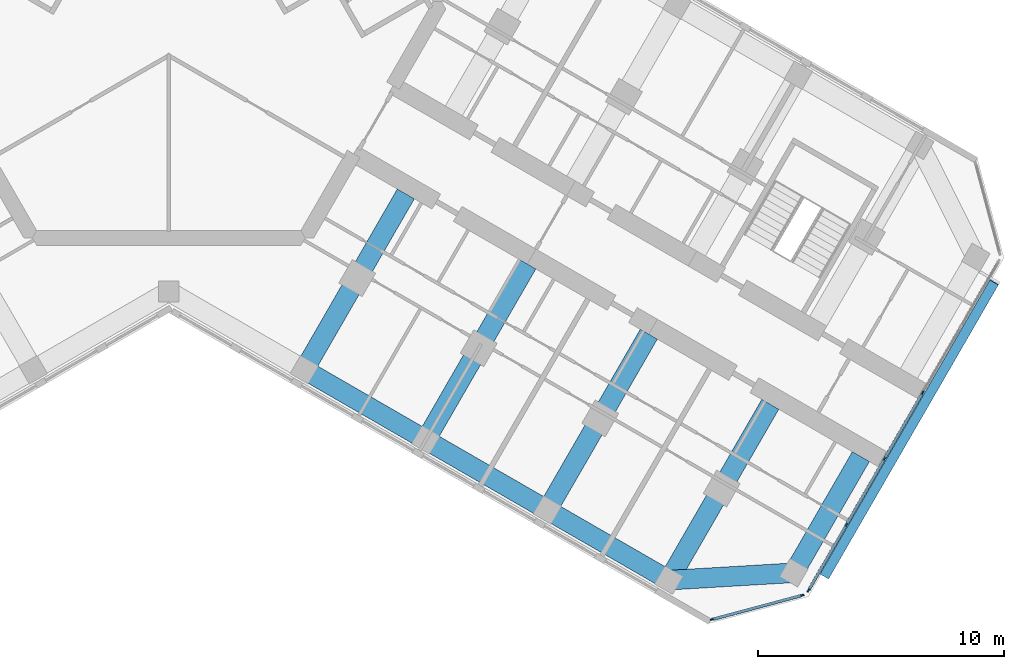
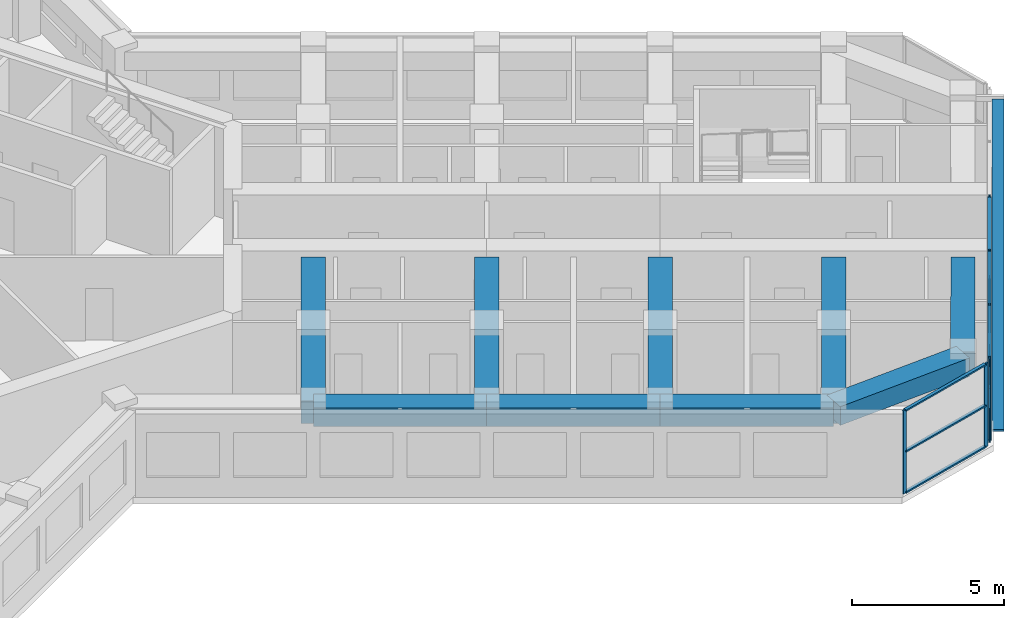
# One storey, part 4 of 16: 16 members, 9 beams, 2 elements without a shape of their own.
"""IFC4 building model written with IfcOpenShell, lengths in metres."""

from ifc_helpers import new_model, si_unit, direction, frame, origin, origin_2d, place, context, subcontext, project, spatial, rectangle, extrude, material, material_profile, profile_set, type_object, element, aggregate, save


model = new_model("IFC4")

# Units and contexts
model_context = context("Model", 3, precision=1e-05, world=origin(), true_north=direction((0.0, 1.0)))
body_context = subcontext(model_context, "Body", "Model", "MODEL_VIEW")
ifc_project = project(units=[si_unit("LENGTHUNIT", "METRE"), si_unit("AREAUNIT", "SQUARE_METRE"), si_unit("VOLUMEUNIT", "CUBIC_METRE"), si_unit("PLANEANGLEUNIT", "RADIAN"), si_unit("MASSUNIT", "GRAM", prefix="KILO")], contexts=[model_context])

# Site, building, storey
site_placement = place(None, origin())
site = spatial("IfcSite", under=ifc_project, at=site_placement, CompositionType="ELEMENT")
building_placement = place(site_placement, origin())
building = spatial("IfcBuilding", under=site, at=building_placement, Name="Kosmar Iwan School Tower", CompositionType="ELEMENT")
storey_placement = place(building_placement, frame((0.0, 0.0, 238.800048828125)))
storey = spatial("IfcBuildingStorey", under=building, at=storey_placement, Name="L60", CompositionType="ELEMENT", Elevation=238.800048828125)

# Member
ifc_material_1 = material(Name="Black anodised aluminium", Category="aluminium")
ifc_material_profile_1 = material_profile(ifc_material_1, rectangle(XDim=0.10009765625, YDim=0.39990234375, at=origin_2d()), Name="FIN 100x400")
ifc_profile_set_1 = profile_set([ifc_material_profile_1], Name="Black anodised aluminium")
member_type_1 = type_object("IfcMemberType", Name="Diagonal fin 100x400", PredefinedType="USERDEFINED", material=ifc_profile_set_1)
member_1_placement = place(storey_placement, frame((26.645263671875, -23.34912109375, -0.150146484375), z_axis=(0.483793446988, 0.837970316603, 0.25248692866), x_axis=(-0.126241714543, -0.218661104574, 0.96760030532)))
element("IfcMember", 1, at=member_1_placement, inside=storey, type_object=member_type_1, Name="Diagonal fin L60-F01", ObjectType="FIN", PredefinedType="USERDEFINED", context=body_context, shape_type="SweptSolid", body=[
    extrude(rectangle(XDim=0.10009765625, YDim=0.39990234375, at=origin_2d()), origin(), (0.0, 0.0, 1.0), 14.258544921875),
])

# Curtain wall, members
ifc_material_2 = material(Name="Dark glass in black aluminium frame", Category="aluminium")
curtain_wall_type_1 = type_object("IfcCurtainWallType", Name="Chamfer curtain wall dark glass", PredefinedType="USERDEFINED", material=ifc_material_2)
curtain_wall_1_placement = place(storey_placement, origin())
curtain_wall_1 = element("IfcCurtainWall", 2, at=curtain_wall_1_placement, inside=storey, type_object=curtain_wall_type_1, Name="Curtain wall L60-F00", ObjectType="FACETED CURTAIN WALL", PredefinedType="USERDEFINED")
ifc_material_3 = material(Name="Black anodised aluminium", Category="aluminium")
ifc_material_profile_2 = material_profile(ifc_material_3, rectangle(XDim=0.06005859375, YDim=0.159912109375, at=origin_2d()), Name="MULLION 60x160")
ifc_profile_set_2 = profile_set([ifc_material_profile_2], Name="Black anodised aluminium")
member_type_2 = type_object("IfcMemberType", Name="Mullion 60x160", PredefinedType="MULLION", material=ifc_profile_set_2)
member_2_placement = place(storey_placement, frame((22.0830078125, -25.102294921875, 0.0), z_axis=(0.0, 0.0, 1.0), x_axis=(-0.258818861462, 0.965925875495, 0.0)))
member_2 = element("IfcMember", 3, at=member_2_placement, type_object=member_type_2, Name="CW2 mullion 1", PredefinedType="MULLION", context=body_context, shape_type="SweptSolid", body=[
    extrude(rectangle(XDim=0.06005859375, YDim=0.159912109375, at=origin_2d()), origin(), (0.0, 0.0, 1.0), 3.349853515625),
])
member_3_placement = place(storey_placement, frame((25.733154296875, -24.124267578125, 0.0), z_axis=(0.0, 0.0, 1.0), x_axis=(-0.258818861462, 0.965925875495, 0.0)))
member_3 = element("IfcMember", 4, at=member_3_placement, type_object=member_type_2, Name="CW2 mullion 2", PredefinedType="MULLION", context=body_context, shape_type="SweptSolid", body=[
    extrude(rectangle(XDim=0.06005859375, YDim=0.159912109375, at=origin_2d()), origin(), (0.0, 0.0, 1.0), 3.349853515625),
])

ifc_material_4 = material(Name="Dark glass in black aluminium frame", Category="aluminium")
curtain_wall_type_2 = type_object("IfcCurtainWallType", Name="Tower curtain wall dark glass", PredefinedType="USERDEFINED", material=ifc_material_4)
curtain_wall_2_placement = place(storey_placement, origin())
curtain_wall_2 = element("IfcCurtainWall", 5, at=curtain_wall_2_placement, inside=storey, type_object=curtain_wall_type_2, Name="Curtain wall L60-F01", ObjectType="UNITISED CURTAIN WALL", PredefinedType="USERDEFINED")
member_4_placement = place(storey_placement, frame((25.9970703125, -23.921630859375, 0.0), z_axis=(0.0, 0.0, 1.0), x_axis=(-0.866025405329, 0.499999997325, 0.0)))
member_4 = element("IfcMember", 6, at=member_4_placement, type_object=member_type_2, Name="CW1 mullion 1", PredefinedType="MULLION", context=body_context, shape_type="SweptSolid", body=[
    extrude(rectangle(XDim=0.06005859375, YDim=0.159912109375, at=origin_2d()), origin(), (0.0, 0.0, 1.0), 3.349853515625),
])
member_5_placement = place(storey_placement, frame((27.53173828125, -21.263671875, 0.0), z_axis=(0.0, 0.0, 1.0), x_axis=(-0.866025405329, 0.499999997325, 0.0)))
member_5 = element("IfcMember", 7, at=member_5_placement, type_object=member_type_2, Name="CW1 mullion 2", PredefinedType="MULLION", context=body_context, shape_type="SweptSolid", body=[
    extrude(rectangle(XDim=0.06005859375, YDim=0.159912109375, at=origin_2d()), origin(), (0.0, 0.0, 1.0), 3.349853515625),
])
member_6_placement = place(storey_placement, frame((29.081298828125, -18.57958984375, 0.0), z_axis=(0.0, 0.0, 1.0), x_axis=(-0.866025405329, 0.499999997325, 0.0)))
member_6 = element("IfcMember", 8, at=member_6_placement, type_object=member_type_2, Name="CW1 mullion 3", PredefinedType="MULLION", context=body_context, shape_type="SweptSolid", body=[
    extrude(rectangle(XDim=0.06005859375, YDim=0.159912109375, at=origin_2d()), origin(), (0.0, 0.0, 1.0), 3.349853515625),
])
member_7_placement = place(storey_placement, frame((30.631103515625, -15.8955078125, 0.0), z_axis=(0.0, 0.0, 1.0), x_axis=(-0.866025405329, 0.499999997325, 0.0)))
member_7 = element("IfcMember", 9, at=member_7_placement, type_object=member_type_2, Name="CW1 mullion 4", PredefinedType="MULLION", context=body_context, shape_type="SweptSolid", body=[
    extrude(rectangle(XDim=0.06005859375, YDim=0.159912109375, at=origin_2d()), origin(), (0.0, 0.0, 1.0), 3.349853515625),
])

# Beams
ifc_material_5 = material(Name="Concrete C50/60", Category="concrete")
ifc_material_profile_3 = material_profile(ifc_material_5, rectangle(XDim=0.800048828125, YDim=0.75, at=origin_2d()), Name="RC 800x750")
ifc_profile_set_3 = profile_set([ifc_material_profile_3], Name="Concrete C50/60")
beam_type_1 = type_object("IfcBeamType", Name="RC edge beam 800x750", PredefinedType="BEAM", material=ifc_profile_set_3)
beam_1_placement = place(storey_placement, frame((5.5087890625, -14.95849609375, 2.974853515625), z_axis=(0.866033658841, -0.49998570155, 0.0), x_axis=(0.49998570155, 0.866033658841, 0.0)))
element("IfcBeam", 10, at=beam_1_placement, inside=storey, type_object=beam_type_1, Name="Edge beam CR2", PredefinedType="BEAM", context=body_context, shape_type="SweptSolid", body=[
    extrude(rectangle(XDim=0.800048828125, YDim=0.75, at=origin_2d()), origin(), (0.0, 0.0, 1.0), 5.699951171875),
])
beam_2_placement = place(storey_placement, frame((10.445068359375, -17.808349609375, 2.974853515625), z_axis=(0.866025820012, -0.499999279071, 0.0), x_axis=(0.499999279071, 0.866025820012, 0.0)))
element("IfcBeam", 11, at=beam_2_placement, inside=storey, type_object=beam_type_1, Name="Edge beam CR3", PredefinedType="BEAM", context=body_context, shape_type="SweptSolid", body=[
    extrude(rectangle(XDim=0.800048828125, YDim=0.75, at=origin_2d()), origin(), (0.0, 0.0, 1.0), 5.7001953125),
])
beam_3_placement = place(storey_placement, frame((15.381591796875, -20.658447265625, 2.974853515625), z_axis=(0.866015111908, -0.50001782563, 0.0), x_axis=(0.50001782563, 0.866015111908, 0.0)))
element("IfcBeam", 12, at=beam_3_placement, inside=storey, type_object=beam_type_1, Name="Edge beam CR4", PredefinedType="BEAM", context=body_context, shape_type="SweptSolid", body=[
    extrude(rectangle(XDim=0.800048828125, YDim=0.75, at=origin_2d()), origin(), (0.0, 0.0, 1.0), 5.699951171875),
])
ifc_material_6 = material(Name="Concrete C50/60", Category="concrete")
ifc_material_profile_4 = material_profile(ifc_material_6, rectangle(XDim=0.800048828125, YDim=0.75, at=origin_2d()), Name="RC 800x750")
ifc_profile_set_4 = profile_set([ifc_material_profile_4], Name="Concrete C50/60")
beam_type_2 = type_object("IfcBeamType", Name="RC tip beam 800x750", PredefinedType="BEAM", material=ifc_profile_set_4)
beam_4_placement = place(storey_placement, frame((20.31787109375, -23.508544921875, 2.974853515625), z_axis=(0.998260616478, 0.058955420358, 0.0), x_axis=(-0.058955420358, 0.998260616478, 0.0)))
element("IfcBeam", 13, at=beam_4_placement, inside=storey, type_object=beam_type_2, Name="Tip beam CR", PredefinedType="BEAM", context=body_context, shape_type="SweptSolid", body=[
    extrude(rectangle(XDim=0.800048828125, YDim=0.75, at=origin_2d()), origin(), (0.0, 0.0, 1.0), 5.08935546875),
])
beam_5_placement = place(storey_placement, frame((25.3984375, -23.20849609375, 2.974853515625), z_axis=(0.500022328685, 0.866012511928, 0.0), x_axis=(-0.866012511928, 0.500022328685, 0.0)))
element("IfcBeam", 14, at=beam_5_placement, inside=storey, type_object=beam_type_2, Name="Tip beam CR to corridor wall", PredefinedType="BEAM", context=body_context, shape_type="SweptSolid", body=[
    extrude(rectangle(XDim=0.800048828125, YDim=0.75, at=origin_2d()), origin(), (0.0, 0.0, 1.0), 5.449951171875),
])
ifc_material_7 = material(Name="Concrete C50/60", Category="concrete")
ifc_material_profile_5 = material_profile(ifc_material_7, rectangle(XDim=0.800048828125, YDim=0.89990234375, at=origin_2d()), Name="RC 800x900")
ifc_profile_set_5 = profile_set([ifc_material_profile_5], Name="Concrete C50/60")
beam_type_3 = type_object("IfcBeamType", Name="RC transverse beam 800x900", PredefinedType="BEAM", material=ifc_profile_set_5)
beam_6_placement = place(storey_placement, frame((5.5087890625, -14.95849609375, 2.89990234375), z_axis=(0.499996545922, 0.866027397988, 0.0), x_axis=(-0.866027397988, 0.499996545922, 0.0)))
element("IfcBeam", 15, at=beam_6_placement, inside=storey, type_object=beam_type_3, Name="Transverse beam CR1", PredefinedType="BEAM", context=body_context, shape_type="SweptSolid", body=[
    extrude(rectangle(XDim=0.800048828125, YDim=0.89990234375, at=origin_2d()), origin(), (0.0, 0.0, 1.0), 8.25),
])
beam_7_placement = place(storey_placement, frame((10.445068359375, -17.808349609375, 2.89990234375), z_axis=(0.500009360108, 0.866019999656, 0.0), x_axis=(-0.866019999656, 0.500009360108, 0.0)))
element("IfcBeam", 16, at=beam_7_placement, inside=storey, type_object=beam_type_3, Name="Transverse beam CR2", PredefinedType="BEAM", context=body_context, shape_type="SweptSolid", body=[
    extrude(rectangle(XDim=0.800048828125, YDim=0.89990234375, at=origin_2d()), origin(), (0.0, 0.0, 1.0), 8.249755859375),
])
for number, where, z_axis, x_axis, name in (
    (17, (15.381591796875, -20.658447265625, 2.89990234375), (0.499996545922, 0.866027397988, 0.0), (-0.866027397988, 0.499996545922, 0.0), "Transverse beam CR3"),
    (18, (20.31787109375, -23.508544921875, 2.89990234375), (0.499996545922, 0.866027397988, 0.0), (-0.866027397988, 0.499996545922, 0.0), "Transverse beam CR4"),
):
    element("IfcBeam", number, at=place(storey_placement, frame(where, z_axis=z_axis, x_axis=x_axis)), inside=storey, type_object=beam_type_3, Name=name, PredefinedType="BEAM", context=body_context, shape_type="SweptSolid", body=[
        extrude(rectangle(XDim=0.800048828125, YDim=0.89990234375, at=origin_2d()), origin(), (0.0, 0.0, 1.0), 8.25),
    ])

# Member
ifc_material_8 = material(Name="Black anodised aluminium", Category="aluminium")
ifc_material_profile_6 = material_profile(ifc_material_8, rectangle(XDim=0.1201171875, YDim=0.06005859375, at=origin_2d()), Name="TRANSOM 60x120")
ifc_profile_set_6 = profile_set([ifc_material_profile_6], Name="Black anodised aluminium")
member_type_3 = type_object("IfcMemberType", Name="Transom 60x120", PredefinedType="USERDEFINED", material=ifc_profile_set_6)
member_8_placement = place(storey_placement, frame((22.11181640625, -25.094482421875, 0.030029296875), z_axis=(0.965923731726, 0.258826861991, 0.0), x_axis=(-0.258826861991, 0.965923731726, 0.0)))
member_8 = element("IfcMember", 19, at=member_8_placement, type_object=member_type_3, Name="CW2 transom 1.1", ObjectType="TRANSOM", PredefinedType="USERDEFINED", context=body_context, shape_type="SweptSolid", body=[
    extrude(rectangle(XDim=0.1201171875, YDim=0.06005859375, at=origin_2d()), origin(), (0.0, 0.0, 1.0), 3.71923828125),
])

member_9_placement = place(storey_placement, frame((22.11181640625, -25.094482421875, 1.675048828125), z_axis=(0.965923731726, 0.258826861991, 0.0), x_axis=(-0.258826861991, 0.965923731726, 0.0)))
member_9 = element("IfcMember", 20, at=member_9_placement, type_object=member_type_3, Name="CW2 transom 1.2", ObjectType="TRANSOM", PredefinedType="USERDEFINED", context=body_context, shape_type="SweptSolid", body=[
    extrude(rectangle(XDim=0.1201171875, YDim=0.06005859375, at=origin_2d()), origin(), (0.0, 0.0, 1.0), 3.71923828125),
])

member_10_placement = place(storey_placement, frame((22.11181640625, -25.094482421875, 3.320068359375), z_axis=(0.965923731726, 0.258826861991, 0.0), x_axis=(-0.258826861991, 0.965923731726, 0.0)))
member_10 = element("IfcMember", 21, at=member_10_placement, type_object=member_type_3, Name="CW2 transom 1.3", ObjectType="TRANSOM", PredefinedType="USERDEFINED", context=body_context, shape_type="SweptSolid", body=[
    extrude(rectangle(XDim=0.1201171875, YDim=0.06005859375, at=origin_2d()), origin(), (0.0, 0.0, 1.0), 3.71923828125),
])

aggregate(curtain_wall_1, [member_2, member_3, member_8, member_9, member_10])

member_11_placement = place(storey_placement, frame((26.01220703125, -23.895751953125, 0.030029296875), z_axis=(0.499986971506, 0.866032925658, 0.0), x_axis=(-0.866032925658, 0.499986971506, 0.0)))
member_11 = element("IfcMember", 22, at=member_11_placement, type_object=member_type_3, Name="CW1 transom 1.1", ObjectType="TRANSOM", PredefinedType="USERDEFINED", context=body_context, shape_type="SweptSolid", body=[
    extrude(rectangle(XDim=0.1201171875, YDim=0.06005859375, at=origin_2d()), origin(), (0.0, 0.0, 1.0), 3.00927734375),
])

member_12_placement = place(storey_placement, frame((26.01220703125, -23.895751953125, 3.320068359375), z_axis=(0.499986971506, 0.866032925658, 0.0), x_axis=(-0.866032925658, 0.499986971506, 0.0)))
member_12 = element("IfcMember", 23, at=member_12_placement, type_object=member_type_3, Name="CW1 transom 1.2", ObjectType="TRANSOM", PredefinedType="USERDEFINED", context=body_context, shape_type="SweptSolid", body=[
    extrude(rectangle(XDim=0.1201171875, YDim=0.06005859375, at=origin_2d()), origin(), (0.0, 0.0, 1.0), 3.00927734375),
])

member_13_placement = place(storey_placement, frame((27.546875, -21.237548828125, 0.030029296875), z_axis=(0.499975102327, 0.866039777986, 0.0), x_axis=(-0.866039777986, 0.499975102327, 0.0)))
member_13 = element("IfcMember", 24, at=member_13_placement, type_object=member_type_3, Name="CW1 transom 2.1", ObjectType="TRANSOM", PredefinedType="USERDEFINED", context=body_context, shape_type="SweptSolid", body=[
    extrude(rectangle(XDim=0.1201171875, YDim=0.06005859375, at=origin_2d()), origin(), (0.0, 0.0, 1.0), 3.039306640625),
])

member_14_placement = place(storey_placement, frame((27.546875, -21.237548828125, 3.320068359375), z_axis=(0.499975102327, 0.866039777986, 0.0), x_axis=(-0.866039777986, 0.499975102327, 0.0)))
member_14 = element("IfcMember", 25, at=member_14_placement, type_object=member_type_3, Name="CW1 transom 2.2", ObjectType="TRANSOM", PredefinedType="USERDEFINED", context=body_context, shape_type="SweptSolid", body=[
    extrude(rectangle(XDim=0.1201171875, YDim=0.06005859375, at=origin_2d()), origin(), (0.0, 0.0, 1.0), 3.039306640625),
])

member_15_placement = place(storey_placement, frame((29.096435546875, -18.553466796875, 0.030029296875), z_axis=(0.499975102327, 0.866039777986, 0.0), x_axis=(-0.866039777986, 0.499975102327, 0.0)))
member_15 = element("IfcMember", 26, at=member_15_placement, type_object=member_type_3, Name="CW1 transom 3.1", ObjectType="TRANSOM", PredefinedType="USERDEFINED", context=body_context, shape_type="SweptSolid", body=[
    extrude(rectangle(XDim=0.1201171875, YDim=0.06005859375, at=origin_2d()), origin(), (0.0, 0.0, 1.0), 3.039306640625),
])

member_16_placement = place(storey_placement, frame((29.096435546875, -18.553466796875, 3.320068359375), z_axis=(0.499975102327, 0.866039777986, 0.0), x_axis=(-0.866039777986, 0.499975102327, 0.0)))
member_16 = element("IfcMember", 27, at=member_16_placement, type_object=member_type_3, Name="CW1 transom 3.2", ObjectType="TRANSOM", PredefinedType="USERDEFINED", context=body_context, shape_type="SweptSolid", body=[
    extrude(rectangle(XDim=0.1201171875, YDim=0.06005859375, at=origin_2d()), origin(), (0.0, 0.0, 1.0), 3.039306640625),
])

aggregate(curtain_wall_2, [member_4, member_5, member_6, member_7, member_11, member_12, member_13, member_14, member_15, member_16])

save(model, "model.ifc")
